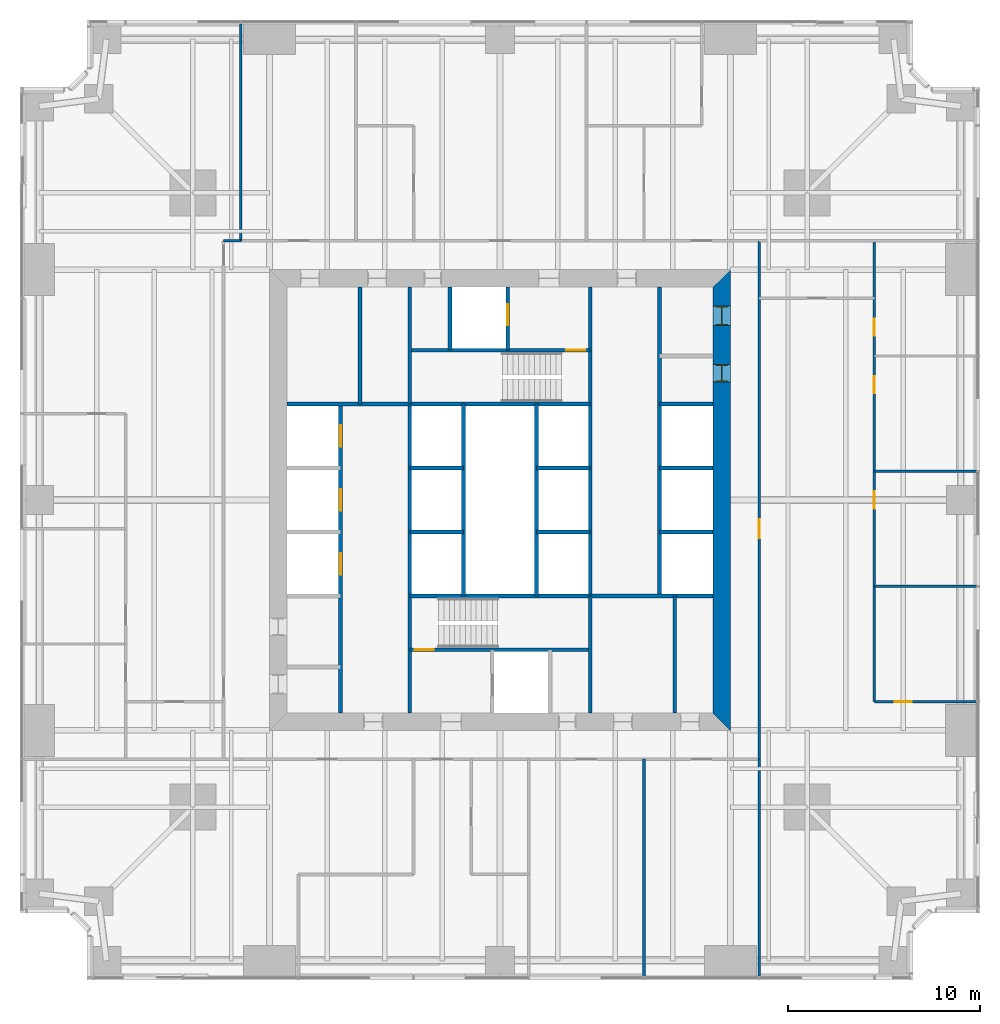
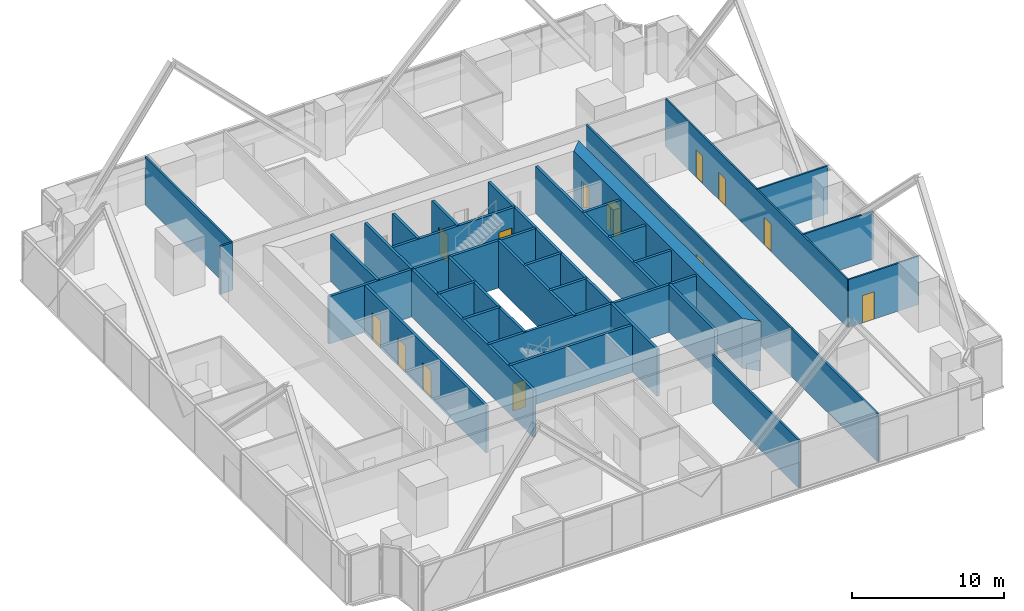
# One storey, part 10 of 13: 33 walls, 13 doors, 13 openings.
"""IFC4 building model written with IfcOpenShell, lengths in metres."""

from ifc_helpers import new_model, si_unit, direction, frame, frame_2d, origin, place, context, subcontext, project, spatial, polyline, rectangle, outline, extrude, material, layer, layer_set, type_object, element, fill, save


model = new_model("IFC4")

# Units and contexts
model_context = context("Model", 3, precision=1e-05, world=origin(), true_north=direction((0.0, 1.0)))
body_context = subcontext(model_context, "Body", "Model", "MODEL_VIEW")
ifc_project = project(units=[si_unit("LENGTHUNIT", "METRE"), si_unit("AREAUNIT", "SQUARE_METRE"), si_unit("VOLUMEUNIT", "CUBIC_METRE"), si_unit("PLANEANGLEUNIT", "RADIAN"), si_unit("MASSUNIT", "GRAM", prefix="KILO")], contexts=[model_context])

# Site, building, storey
site_placement = place(None, origin())
site = spatial("IfcSite", under=ifc_project, at=site_placement, CompositionType="ELEMENT")
building_placement = place(site_placement, origin())
building = spatial("IfcBuilding", under=site, at=building_placement, Name="Fenwick Lantern Interchange", CompositionType="ELEMENT")
storey_placement = place(building_placement, frame((0.0, 0.0, 43.0)))
storey = spatial("IfcBuildingStorey", under=building, at=storey_placement, Name="L09", CompositionType="ELEMENT", Elevation=43.0)

# Wall, openings, doors
ifc_material_1 = material(Name="Concrete masonry ASTM C90 Grade N", Category="masonry")
ifc_layer_1 = layer(ifc_material_1, 0.199951171875)
ifc_layer_set_1 = layer_set([ifc_layer_1], Name="Concrete masonry ASTM C90 Grade N")
wall_type_1 = type_object("IfcWallType", Name="CORE PARTITION 200", PredefinedType="PARTITIONING", material=ifc_layer_set_1)
wall_1_placement = place(storey_placement, frame((16.699951171875, 13.89990234375, 0.0), z_axis=(0.0, 0.0, 1.0), x_axis=(0.0, 1.0, 0.0)))
wall_1 = element("IfcWall", 1, at=wall_1_placement, inside=storey, type_object=wall_type_1, Name="L09/W/CORES/a", PredefinedType="PARTITIONING", context=body_context, shape_type="SweptSolid", body=[
    extrude(rectangle(XDim=16.10009765625, YDim=0.199951171875, at=frame_2d((8.050048828125, 0.0))), origin(), (0.0, 0.0, 1.0), 3.800048828125),
])
opening_1_placement = place(wall_1_placement, frame((7.216552734375, 0.0, 0.0)))
opening_1 = element("IfcOpeningElement", 2, at=opening_1_placement, cuts=wall_1, Name="Opening LD-W1-1", PredefinedType="OPENING", context=body_context, shape_type="SweptSolid", body=[
    extrude(rectangle(XDim=1.10009765625, YDim=2.199951171875, at=frame_2d((0.550048828125, 1.10009765625))), frame((0.0, 0.10986328125, 0.0), z_axis=(0.0, -1.0, 0.0), x_axis=(1.0, 0.0, 0.0)), (0.0, 0.0, 1.0), 0.219970703125),
])
opening_2_placement = place(wall_1_placement, frame((10.550048828125, 0.0, 0.0)))
opening_2 = element("IfcOpeningElement", 3, at=opening_2_placement, cuts=wall_1, Name="Opening LD-W1-2", PredefinedType="OPENING", context=body_context, shape_type="SweptSolid", body=[
    extrude(rectangle(XDim=1.10009765625, YDim=2.199951171875, at=frame_2d((0.550048828125, 1.10009765625))), frame((0.0, 0.10986328125, 0.0), z_axis=(0.0, -1.0, 0.0), x_axis=(1.0, 0.0, 0.0)), (0.0, 0.0, 1.0), 0.219970703125),
])
opening_3_placement = place(wall_1_placement, frame((13.88330078125, 0.0, 0.0)))
opening_3 = element("IfcOpeningElement", 4, at=opening_3_placement, cuts=wall_1, Name="Opening LD-W1-3", PredefinedType="OPENING", context=body_context, shape_type="SweptSolid", body=[
    extrude(rectangle(XDim=1.10009765625, YDim=2.199951171875, at=frame_2d((0.550048828125, 1.10009765625))), frame((0.0, 0.10986328125, 0.0), z_axis=(0.0, -1.0, 0.0), x_axis=(1.0, 0.0, 0.0)), (0.0, 0.0, 1.0), 0.219970703125),
])
ifc_material_2 = material(Name="Steel door and frame", Category="steel")
door_type_1 = type_object("IfcDoorType", Name="LIFT LANDING DOOR 1100 X 2200", OperationType="DOUBLE_DOOR_SLIDING", PredefinedType="DOOR", material=ifc_material_2)
door_1_placement = place(opening_1_placement, origin())
door_1 = element("IfcDoor", 5, at=door_1_placement, inside=storey, type_object=door_type_1, Name="Lift landing door W1-1", OperationType="DOUBLE_DOOR_SLIDING", OverallHeight=2.199951171875, OverallWidth=1.10009765625, PredefinedType="DOOR", context=body_context, shape_type="SweptSolid", body=[
    extrude(rectangle(XDim=1.10009765625, YDim=2.199951171875, at=frame_2d((0.550048828125, 1.10009765625))), frame((0.0, 0.02490234375, 0.0), z_axis=(0.0, -1.0, 0.0), x_axis=(1.0, 0.0, 0.0)), (0.0, 0.0, 1.0), 0.050048828125),
])
fill(opening_1, door_1)
door_2_placement = place(opening_2_placement, origin())
door_2 = element("IfcDoor", 6, at=door_2_placement, inside=storey, type_object=door_type_1, Name="Lift landing door W1-2", OperationType="DOUBLE_DOOR_SLIDING", OverallHeight=2.199951171875, OverallWidth=1.10009765625, PredefinedType="DOOR", context=body_context, shape_type="SweptSolid", body=[
    extrude(rectangle(XDim=1.10009765625, YDim=2.199951171875, at=frame_2d((0.550048828125, 1.10009765625))), frame((0.0, 0.02490234375, 0.0), z_axis=(0.0, -1.0, 0.0), x_axis=(1.0, 0.0, 0.0)), (0.0, 0.0, 1.0), 0.050048828125),
])
fill(opening_2, door_2)
door_3_placement = place(opening_3_placement, origin())
door_3 = element("IfcDoor", 7, at=door_3_placement, inside=storey, type_object=door_type_1, Name="Lift landing door W1-3", OperationType="DOUBLE_DOOR_SLIDING", OverallHeight=2.199951171875, OverallWidth=1.10009765625, PredefinedType="DOOR", context=body_context, shape_type="SweptSolid", body=[
    extrude(rectangle(XDim=1.10009765625, YDim=2.199951171875, at=frame_2d((0.550048828125, 1.10009765625))), frame((0.0, 0.02490234375, 0.0), z_axis=(0.0, -1.0, 0.0), x_axis=(1.0, 0.0, 0.0)), (0.0, 0.0, 1.0), 0.050048828125),
])
fill(opening_3, door_3)

# Walls
for number, where, z_axis, x_axis, name in (
    (8, (20.300048828125, 23.333251953125, 0.0), (0.0, 0.0, 1.0), (1.0, 0.0, 0.0), "L09/W/CORES/e1"),
    (9, (20.300048828125, 26.666748046875, 0.0), (0.0, 0.0, 1.0), (1.0, 0.0, 0.0), "L09/W/CORES/e2"),
):
    element("IfcWall", number, at=place(storey_placement, frame(where, z_axis=z_axis, x_axis=x_axis)), inside=storey, type_object=wall_type_1, Name=name, PredefinedType="PARTITIONING", context=body_context, shape_type="SweptSolid", body=[
        extrude(rectangle(XDim=2.800048828125, YDim=0.199951171875, at=frame_2d((1.39990234375, 0.0))), origin(), (0.0, 0.0, 1.0), 3.800048828125),
    ])
wall_2_placement = place(storey_placement, frame((23.10009765625, 20.0, 0.0), z_axis=(0.0, 0.0, 1.0), x_axis=(0.0, 1.0, 0.0)))
element("IfcWall", 10, at=wall_2_placement, inside=storey, type_object=wall_type_1, Name="L09/W/CORES/e3", PredefinedType="PARTITIONING", context=body_context, shape_type="SweptSolid", body=[
    extrude(rectangle(XDim=10.0, YDim=0.199951171875, at=frame_2d((5.0, 0.0))), origin(), (0.0, 0.0, 1.0), 3.800048828125),
])
wall_3_placement = place(storey_placement, frame((34.10009765625, 13.89990234375, 0.0), z_axis=(0.0, 0.0, 1.0), x_axis=(0.0, 1.0, 0.0)))
element("IfcWall", 11, at=wall_3_placement, inside=storey, type_object=wall_type_1, Name="L09/W/CORES/i2", PredefinedType="PARTITIONING", context=body_context, shape_type="SweptSolid", body=[
    extrude(rectangle(XDim=6.10009765625, YDim=0.199951171875, at=frame_2d((3.050048828125, 0.0))), origin(), (0.0, 0.0, 1.0), 3.800048828125),
])
wall_4_placement = place(storey_placement, frame((33.300048828125, 36.10009765625, 0.0), z_axis=(0.0, 0.0, 1.0), x_axis=(0.0, -1.0, 0.0)))
element("IfcWall", 12, at=wall_4_placement, inside=storey, type_object=wall_type_1, Name="L09/W/COREN/a", PredefinedType="PARTITIONING", context=body_context, shape_type="SweptSolid", body=[
    extrude(rectangle(XDim=16.10009765625, YDim=0.199951171875, at=frame_2d((8.050048828125, 0.0))), origin(), (0.0, 0.0, 1.0), 3.800048828125),
])
for number, where, z_axis, x_axis, name in (
    (13, (36.10009765625, 30.0, 0.0), (0.0, 0.0, 1.0), (-1.0, 0.0, 0.0), "L09/W/COREN/c2"),
    (14, (36.10009765625, 26.666748046875, 0.0), (0.0, 0.0, 1.0), (-1.0, 0.0, 0.0), "L09/W/COREN/d1"),
    (15, (36.10009765625, 23.333251953125, 0.0), (0.0, 0.0, 1.0), (-1.0, 0.0, 0.0), "L09/W/COREN/d2"),
    (16, (29.699951171875, 26.666748046875, 0.0), (0.0, 0.0, 1.0), (-1.0, 0.0, 0.0), "L09/W/COREN/e1"),
    (17, (29.699951171875, 23.333251953125, 0.0), (0.0, 0.0, 1.0), (-1.0, 0.0, 0.0), "L09/W/COREN/e2"),
):
    element("IfcWall", number, at=place(storey_placement, frame(where, z_axis=z_axis, x_axis=x_axis)), inside=storey, type_object=wall_type_1, Name=name, PredefinedType="PARTITIONING", context=body_context, shape_type="SweptSolid", body=[
        extrude(rectangle(XDim=2.800048828125, YDim=0.199951171875, at=frame_2d((1.39990234375, 0.0))), origin(), (0.0, 0.0, 1.0), 3.800048828125),
    ])
wall_5_placement = place(storey_placement, frame((26.89990234375, 30.0, 0.0), z_axis=(0.0, 0.0, 1.0), x_axis=(0.0, -1.0, 0.0)))
element("IfcWall", 18, at=wall_5_placement, inside=storey, type_object=wall_type_1, Name="L09/W/COREN/e3", PredefinedType="PARTITIONING", context=body_context, shape_type="SweptSolid", body=[
    extrude(rectangle(XDim=10.0, YDim=0.199951171875, at=frame_2d((5.0, 0.0))), origin(), (0.0, 0.0, 1.0), 3.800048828125),
])

# Wall, opening, door
wall_6_placement = place(storey_placement, frame((25.39990234375, 36.10009765625, 0.0), z_axis=(0.0, 0.0, 1.0), x_axis=(0.0, -1.0, 0.0)))
wall_6 = element("IfcWall", 19, at=wall_6_placement, inside=storey, type_object=wall_type_1, Name="L09/W/COREN/h1", PredefinedType="PARTITIONING", context=body_context, shape_type="SweptSolid", body=[
    extrude(rectangle(XDim=3.300048828125, YDim=0.199951171875, at=frame_2d((1.64990234375, 0.0))), origin(), (0.0, 0.0, 1.0), 3.800048828125),
])
opening_4_placement = place(wall_6_placement, frame((0.89990234375, 0.0, 0.0)))
opening_4 = element("IfcOpeningElement", 20, at=opening_4_placement, cuts=wall_6, Name="Opening LD-FL2", PredefinedType="OPENING", context=body_context, shape_type="SweptSolid", body=[
    extrude(rectangle(XDim=1.10009765625, YDim=2.199951171875, at=frame_2d((0.550048828125, 1.10009765625))), frame((0.0, 0.10986328125, 0.0), z_axis=(0.0, -1.0, 0.0), x_axis=(1.0, 0.0, 0.0)), (0.0, 0.0, 1.0), 0.219970703125),
])
door_4_placement = place(opening_4_placement, origin())
door_4 = element("IfcDoor", 21, at=door_4_placement, inside=storey, type_object=door_type_1, Name="Lift landing door FL2", OperationType="DOUBLE_DOOR_SLIDING", OverallHeight=2.199951171875, OverallWidth=1.10009765625, PredefinedType="DOOR", context=body_context, shape_type="SweptSolid", body=[
    extrude(rectangle(XDim=1.10009765625, YDim=2.199951171875, at=frame_2d((0.550048828125, 1.10009765625))), frame((0.0, 0.02490234375, 0.0), z_axis=(0.0, -1.0, 0.0), x_axis=(1.0, 0.0, 0.0)), (0.0, 0.0, 1.0), 0.050048828125),
])
fill(opening_4, door_4)

# Walls
wall_7_placement = place(storey_placement, frame((22.39990234375, 36.10009765625, 0.0), z_axis=(0.0, 0.0, 1.0), x_axis=(0.0, -1.0, 0.0)))
element("IfcWall", 22, at=wall_7_placement, inside=storey, type_object=wall_type_1, Name="L09/W/COREN/h2", PredefinedType="PARTITIONING", context=body_context, shape_type="SweptSolid", body=[
    extrude(rectangle(XDim=3.300048828125, YDim=0.199951171875, at=frame_2d((1.64990234375, 0.0))), origin(), (0.0, 0.0, 1.0), 3.800048828125),
])
wall_8_placement = place(storey_placement, frame((17.699951171875, 36.10009765625, 0.0), z_axis=(0.0, 0.0, 1.0), x_axis=(0.0, -1.0, 0.0)))
element("IfcWall", 23, at=wall_8_placement, inside=storey, type_object=wall_type_1, Name="L09/W/COREN/i2", PredefinedType="PARTITIONING", context=body_context, shape_type="SweptSolid", body=[
    extrude(rectangle(XDim=6.10009765625, YDim=0.199951171875, at=frame_2d((3.050048828125, 0.0))), origin(), (0.0, 0.0, 1.0), 3.800048828125),
])

# Wall, openings, doors
ifc_material_3 = material(Name="Concrete f'c 70 MPa", Category="concrete")
ifc_layer_2 = layer(ifc_material_3, 0.89990234375)
ifc_layer_set_2 = layer_set([ifc_layer_2], Name="CORE WALL 900")
wall_type_2 = type_object("IfcWallType", Name="CORE WALL 900", PredefinedType="SHEAR", material=ifc_layer_set_2)
wall_9_placement = place(storey_placement, frame((36.550048828125, 13.89990234375, 0.0), z_axis=(0.0, 0.0, 1.0), x_axis=(0.0, 1.0, 0.0)))
wall_9 = element("IfcWall", 24, at=wall_9_placement, inside=storey, type_object=wall_type_2, Name="L09/CORE/E", PredefinedType="SHEAR", context=body_context, shape_type="SweptSolid", body=[
    extrude(outline(polyline([(-0.89990234375, -0.449951171875), (23.10009765625, -0.449951171875), (22.199951171875, 0.449951171875), (0.0, 0.449951171875), (-0.89990234375, -0.449951171875)])), origin(), (0.0, 0.0, 1.0), 4.0),
])
opening_5_placement = place(wall_9_placement, frame((20.199951171875, 0.0, 0.0)))
opening_5 = element("IfcOpeningElement", 25, at=opening_5_placement, cuts=wall_9, Name="Opening L09-D015", PredefinedType="OPENING", context=body_context, shape_type="SweptSolid", body=[
    extrude(rectangle(XDim=1.0, YDim=2.199951171875, at=frame_2d((0.5, 1.10009765625))), frame((0.0, 0.4599609375, 0.0), z_axis=(0.0, -1.0, 0.0), x_axis=(1.0, 0.0, 0.0)), (0.0, 0.0, 1.0), 0.919921875),
])
opening_6_placement = place(wall_9_placement, frame((17.25, 0.0, 0.0)))
opening_6 = element("IfcOpeningElement", 26, at=opening_6_placement, cuts=wall_9, Name="Opening L09-D016", PredefinedType="OPENING", context=body_context, shape_type="SweptSolid", body=[
    extrude(rectangle(XDim=0.89990234375, YDim=2.199951171875, at=frame_2d((0.449951171875, 1.10009765625))), frame((0.0, 0.4599609375, 0.0), z_axis=(0.0, -1.0, 0.0), x_axis=(1.0, 0.0, 0.0)), (0.0, 0.0, 1.0), 0.919921875),
])
door_type_2 = type_object("IfcDoorType", Name="SERVICE DOOR 900 X 2200", OperationType="SINGLE_SWING_LEFT", PredefinedType="DOOR", material=ifc_material_2)
door_5_placement = place(opening_6_placement, origin())
door_5 = element("IfcDoor", 27, at=door_5_placement, inside=storey, type_object=door_type_2, Name="Service door", OperationType="SINGLE_SWING_RIGHT", OverallHeight=2.199951171875, OverallWidth=0.89990234375, PredefinedType="DOOR", context=body_context, shape_type="SweptSolid", body=[
    extrude(rectangle(XDim=0.89990234375, YDim=2.199951171875, at=frame_2d((0.449951171875, 1.10009765625))), frame((0.0, 0.02490234375, 0.0), z_axis=(0.0, -1.0, 0.0), x_axis=(1.0, 0.0, 0.0)), (0.0, 0.0, 1.0), 0.050048828125),
    extrude(outline(polyline([(0.0, 0.0), (0.0400390625, 0.0), (0.0400390625, 2.159912109375), (0.85986328125, 2.159912109375), (0.85986328125, 0.0), (0.89990234375, 0.0), (0.89990234375, 2.199951171875), (0.0, 2.199951171875), (0.0, 0.0)])), frame((0.0, 0.300048828125, 0.0), z_axis=(0.0, -1.0, 0.0), x_axis=(1.0, 0.0, 0.0)), (0.0, 0.0, 1.0), 0.60009765625),
])
fill(opening_6, door_5)
ifc_material_4 = material(Name="Hardwood door and steel frame", Category="steel")
door_type_3 = type_object("IfcDoorType", Name="WC DOOR 1000 X 2200", OperationType="SINGLE_SWING_LEFT", PredefinedType="DOOR", material=ifc_material_4)
door_6_placement = place(opening_5_placement, origin())
door_6 = element("IfcDoor", 28, at=door_6_placement, inside=storey, type_object=door_type_3, Name="Wc door", OperationType="SINGLE_SWING_RIGHT", OverallHeight=2.199951171875, OverallWidth=1.0, PredefinedType="DOOR", context=body_context, shape_type="SweptSolid", body=[
    extrude(rectangle(XDim=1.0, YDim=2.199951171875, at=frame_2d((0.5, 1.10009765625))), frame((0.0, 0.02490234375, 0.0), z_axis=(0.0, -1.0, 0.0), x_axis=(1.0, 0.0, 0.0)), (0.0, 0.0, 1.0), 0.050048828125),
    extrude(outline(polyline([(0.0, 0.0), (0.0400390625, 0.0), (0.0400390625, 2.159912109375), (0.9599609375, 2.159912109375), (0.9599609375, 0.0), (1.0, 0.0), (1.0, 2.199951171875), (0.0, 2.199951171875), (0.0, 0.0)])), frame((0.0, 0.300048828125, 0.0), z_axis=(0.0, -1.0, 0.0), x_axis=(1.0, 0.0, 0.0)), (0.0, 0.0, 1.0), 0.60009765625),
])
fill(opening_5, door_6)

# Wall, opening, door
ifc_material_5 = material(Name="Gypsum board on steel studs, 1 hour", Category="steel")
ifc_layer_3 = layer(ifc_material_5, 0.14990234375)
ifc_layer_set_3 = layer_set([ifc_layer_3], Name="CORRIDOR WALL 150")
wall_type_3 = type_object("IfcWallType", Name="CORRIDOR WALL 150", PredefinedType="PARTITIONING", material=ifc_layer_set_3)
wall_10_placement = place(storey_placement, frame((38.5, 11.5, 0.0), z_axis=(0.0, 0.0, 1.0), x_axis=(0.0, 1.0, 0.0)))
wall_10 = element("IfcWall", 29, at=wall_10_placement, inside=storey, type_object=wall_type_3, Name="L09/W/OFF/E/CW", PredefinedType="PARTITIONING", context=body_context, shape_type="SweptSolid", body=[
    extrude(rectangle(XDim=27.0, YDim=0.14990234375, at=frame_2d((13.5, 0.0))), origin(), (0.0, 0.0, 1.0), 3.85009765625),
])
opening_7_placement = place(wall_10_placement, frame((11.5, 0.0, 0.0)))
opening_7 = element("IfcOpeningElement", 30, at=opening_7_placement, cuts=wall_10, Name="Opening L09-D022", PredefinedType="OPENING", context=body_context, shape_type="SweptSolid", body=[
    extrude(rectangle(XDim=1.0, YDim=2.199951171875, at=frame_2d((0.5, 1.10009765625))), frame((0.0, 0.0849609375, 0.0), z_axis=(0.0, -1.0, 0.0), x_axis=(1.0, 0.0, 0.0)), (0.0, 0.0, 1.0), 0.169921875),
])
door_type_4 = type_object("IfcDoorType", Name="SUITE ENTRANCE DOOR 1000 X 2200", OperationType="SINGLE_SWING_LEFT", PredefinedType="DOOR", material=ifc_material_2)
door_7_placement = place(opening_7_placement, frame((1.0, 0.0, 0.0), z_axis=(0.0, 0.0, 1.0), x_axis=(-1.0, 0.0, 0.0)))
door_7 = element("IfcDoor", 31, at=door_7_placement, inside=storey, type_object=door_type_4, Name="Suite entrance door", OperationType="SINGLE_SWING_LEFT", OverallHeight=2.199951171875, OverallWidth=1.0, PredefinedType="DOOR", context=body_context, shape_type="SweptSolid", body=[
    extrude(rectangle(XDim=1.0, YDim=2.199951171875, at=frame_2d((0.5, 1.10009765625))), frame((0.0, 0.02490234375, 0.0), z_axis=(0.0, -1.0, 0.0), x_axis=(1.0, 0.0, 0.0)), (0.0, 0.0, 1.0), 0.050048828125),
])
fill(opening_7, door_7)

# Wall
wall_11_placement = place(storey_placement, frame((11.5, 38.5, 0.0), z_axis=(0.0, 0.0, 1.0), x_axis=(-1.0, 0.0, 0.0)))
element("IfcWall", 32, at=wall_11_placement, inside=storey, type_object=wall_type_3, Name="L09/W/OFF/W/CWJ", PredefinedType="PARTITIONING", context=body_context, shape_type="SweptSolid", body=[
    extrude(rectangle(XDim=0.89990234375, YDim=0.14990234375, at=frame_2d((0.449951171875, 0.0))), origin(), (0.0, 0.0, 1.0), 3.85009765625),
])

# Wall, opening, door
ifc_material_6 = material(Name="Gypsum board on steel studs, acoustic", Category="steel")
ifc_layer_4 = layer(ifc_material_6, 0.125)
ifc_layer_set_4 = layer_set([ifc_layer_4], Name="OFFICE PARTITION 125")
wall_type_4 = type_object("IfcWallType", Name="OFFICE PARTITION 125", PredefinedType="PARTITIONING", material=ifc_layer_set_4)
wall_12_placement = place(storey_placement, frame((49.85009765625, 14.5, 0.0), z_axis=(0.0, 0.0, 1.0), x_axis=(-1.0, 0.0, 0.0)))
wall_12 = element("IfcWall", 33, at=wall_12_placement, inside=storey, type_object=wall_type_4, Name="L09/W/OFF/E/X145-1", PredefinedType="PARTITIONING", context=body_context, shape_type="SweptSolid", body=[
    extrude(rectangle(XDim=5.35009765625, YDim=0.125, at=frame_2d((2.675048828125, 0.0))), origin(), (0.0, 0.0, 1.0), 3.85009765625),
])
opening_8_placement = place(wall_12_placement, frame((3.39990234375, 0.0, 0.0)))
opening_8 = element("IfcOpeningElement", 34, at=opening_8_placement, cuts=wall_12, Name="Opening L09-D023", PredefinedType="OPENING", context=body_context, shape_type="SweptSolid", body=[
    extrude(rectangle(XDim=0.89990234375, YDim=2.199951171875, at=frame_2d((0.449951171875, 1.10009765625))), frame((0.0, 0.072509765625, 0.0), z_axis=(0.0, -1.0, 0.0), x_axis=(1.0, 0.0, 0.0)), (0.0, 0.0, 1.0), 0.14501953125),
])
door_type_5 = type_object("IfcDoorType", Name="OFFICE DOOR 900 X 2200", OperationType="SINGLE_SWING_LEFT", PredefinedType="DOOR", material=ifc_material_4)
door_8_placement = place(opening_8_placement, frame((0.89990234375, 0.0, 0.0), z_axis=(0.0, 0.0, 1.0), x_axis=(-1.0, 0.0, 0.0)))
door_8 = element("IfcDoor", 35, at=door_8_placement, inside=storey, type_object=door_type_5, Name="Office door", OperationType="SINGLE_SWING_LEFT", OverallHeight=2.199951171875, OverallWidth=0.89990234375, PredefinedType="DOOR", context=body_context, shape_type="SweptSolid", body=[
    extrude(rectangle(XDim=0.89990234375, YDim=2.199951171875, at=frame_2d((0.449951171875, 1.10009765625))), frame((0.0, 0.02490234375, 0.0), z_axis=(0.0, -1.0, 0.0), x_axis=(1.0, 0.0, 0.0)), (0.0, 0.0, 1.0), 0.050048828125),
])
fill(opening_8, door_8)

# Walls
for number, where, z_axis, x_axis, name in (
    (36, (49.85009765625, 20.5, 0.0), (0.0, 0.0, 1.0), (-1.0, 0.0, 0.0), "L09/W/OFF/E/X205-1"),
    (37, (49.85009765625, 26.5, 0.0), (0.0, 0.0, 1.0), (-1.0, 0.0, 0.0), "L09/W/OFF/E/X265-1"),
):
    element("IfcWall", number, at=place(storey_placement, frame(where, z_axis=z_axis, x_axis=x_axis)), inside=storey, type_object=wall_type_4, Name=name, PredefinedType="PARTITIONING", context=body_context, shape_type="SweptSolid", body=[
        extrude(rectangle(XDim=5.35009765625, YDim=0.125, at=frame_2d((2.675048828125, 0.0))), origin(), (0.0, 0.0, 1.0), 3.85009765625),
    ])

# Wall, openings, doors
wall_13_placement = place(storey_placement, frame((44.5, 14.5, 0.0), z_axis=(0.0, 0.0, 1.0), x_axis=(0.0, 1.0, 0.0)))
wall_13 = element("IfcWall", 38, at=wall_13_placement, inside=storey, type_object=wall_type_4, Name="L09/W/OFF/E/Y55-1", PredefinedType="PARTITIONING", context=body_context, shape_type="SweptSolid", body=[
    extrude(rectangle(XDim=24.0, YDim=0.125, at=frame_2d((12.0, 0.0))), origin(), (0.0, 0.0, 1.0), 3.85009765625),
])
opening_9_placement = place(wall_13_placement, frame((10.050048828125, 0.0, 0.0)))
opening_9 = element("IfcOpeningElement", 39, at=opening_9_placement, cuts=wall_13, Name="Opening L09-D024", PredefinedType="OPENING", context=body_context, shape_type="SweptSolid", body=[
    extrude(rectangle(XDim=0.89990234375, YDim=2.199951171875, at=frame_2d((0.449951171875, 1.10009765625))), frame((0.0, 0.072509765625, 0.0), z_axis=(0.0, -1.0, 0.0), x_axis=(1.0, 0.0, 0.0)), (0.0, 0.0, 1.0), 0.14501953125),
])
opening_10_placement = place(wall_13_placement, frame((16.050048828125, 0.0, 0.0)))
opening_10 = element("IfcOpeningElement", 40, at=opening_10_placement, cuts=wall_13, Name="Opening L09-D025", PredefinedType="OPENING", context=body_context, shape_type="SweptSolid", body=[
    extrude(rectangle(XDim=0.89990234375, YDim=2.199951171875, at=frame_2d((0.449951171875, 1.10009765625))), frame((0.0, 0.072509765625, 0.0), z_axis=(0.0, -1.0, 0.0), x_axis=(1.0, 0.0, 0.0)), (0.0, 0.0, 1.0), 0.14501953125),
])
opening_11_placement = place(wall_13_placement, frame((19.050048828125, 0.0, 0.0)))
opening_11 = element("IfcOpeningElement", 41, at=opening_11_placement, cuts=wall_13, Name="Opening L09-D026", PredefinedType="OPENING", context=body_context, shape_type="SweptSolid", body=[
    extrude(rectangle(XDim=0.89990234375, YDim=2.199951171875, at=frame_2d((0.449951171875, 1.10009765625))), frame((0.0, 0.072509765625, 0.0), z_axis=(0.0, -1.0, 0.0), x_axis=(1.0, 0.0, 0.0)), (0.0, 0.0, 1.0), 0.14501953125),
])
door_9_placement = place(opening_9_placement, frame((0.89990234375, 0.0, 0.0), z_axis=(0.0, 0.0, 1.0), x_axis=(-1.0, 0.0, 0.0)))
door_9 = element("IfcDoor", 42, at=door_9_placement, inside=storey, type_object=door_type_5, Name="Office door", OperationType="SINGLE_SWING_LEFT", OverallHeight=2.199951171875, OverallWidth=0.89990234375, PredefinedType="DOOR", context=body_context, shape_type="SweptSolid", body=[
    extrude(rectangle(XDim=0.89990234375, YDim=2.199951171875, at=frame_2d((0.449951171875, 1.10009765625))), frame((0.0, 0.02490234375, 0.0), z_axis=(0.0, -1.0, 0.0), x_axis=(1.0, 0.0, 0.0)), (0.0, 0.0, 1.0), 0.050048828125),
])
fill(opening_9, door_9)
door_10_placement = place(opening_10_placement, frame((0.89990234375, 0.0, 0.0), z_axis=(0.0, 0.0, 1.0), x_axis=(-1.0, 0.0, 0.0)))
door_10 = element("IfcDoor", 43, at=door_10_placement, inside=storey, type_object=door_type_5, Name="Office door", OperationType="SINGLE_SWING_LEFT", OverallHeight=2.199951171875, OverallWidth=0.89990234375, PredefinedType="DOOR", context=body_context, shape_type="SweptSolid", body=[
    extrude(rectangle(XDim=0.89990234375, YDim=2.199951171875, at=frame_2d((0.449951171875, 1.10009765625))), frame((0.0, 0.02490234375, 0.0), z_axis=(0.0, -1.0, 0.0), x_axis=(1.0, 0.0, 0.0)), (0.0, 0.0, 1.0), 0.050048828125),
])
fill(opening_10, door_10)
door_11_placement = place(opening_11_placement, frame((0.89990234375, 0.0, 0.0), z_axis=(0.0, 0.0, 1.0), x_axis=(-1.0, 0.0, 0.0)))
door_11 = element("IfcDoor", 44, at=door_11_placement, inside=storey, type_object=door_type_5, Name="Office door", OperationType="SINGLE_SWING_RIGHT", OverallHeight=2.199951171875, OverallWidth=0.89990234375, PredefinedType="DOOR", context=body_context, shape_type="SweptSolid", body=[
    extrude(rectangle(XDim=0.89990234375, YDim=2.199951171875, at=frame_2d((0.449951171875, 1.10009765625))), frame((0.0, 0.02490234375, 0.0), z_axis=(0.0, -1.0, 0.0), x_axis=(1.0, 0.0, 0.0)), (0.0, 0.0, 1.0), 0.050048828125),
])
fill(opening_11, door_11)

# Wall
ifc_material_7 = material(Name="Concrete f'c 45 MPa", Category="concrete")
ifc_layer_5 = layer(ifc_material_7, 0.199951171875)
ifc_layer_set_5 = layer_set([ifc_layer_5], Name="STAIR CORE WALL 200")
wall_type_5 = type_object("IfcWallType", Name="STAIR CORE WALL 200", PredefinedType="SOLIDWALL", material=ifc_layer_set_5)
wall_14_placement = place(storey_placement, frame((20.300048828125, 13.89990234375, 0.0), z_axis=(0.0, 0.0, 1.0), x_axis=(0.0, 1.0, 0.0)))
element("IfcWall", 45, at=wall_14_placement, inside=storey, type_object=wall_type_5, Name="L09/W/CORES/b", PredefinedType="SOLIDWALL", context=body_context, shape_type="SweptSolid", body=[
    extrude(rectangle(XDim=16.10009765625, YDim=0.199951171875, at=frame_2d((8.050048828125, 0.0))), origin(), (0.0, 0.0, 1.0), 3.800048828125),
])

# Wall, opening, door
wall_15_placement = place(storey_placement, frame((20.300048828125, 17.199951171875, 0.0), z_axis=(0.0, 0.0, 1.0), x_axis=(1.0, 0.0, 0.0)))
wall_15 = element("IfcWall", 46, at=wall_15_placement, inside=storey, type_object=wall_type_5, Name="L09/W/CORES/g1", PredefinedType="SOLIDWALL", context=body_context, shape_type="SweptSolid", body=[
    extrude(rectangle(XDim=9.39990234375, YDim=0.199951171875, at=frame_2d((4.699951171875, 0.0))), origin(), (0.0, 0.0, 1.0), 3.800048828125),
])
opening_12_placement = place(wall_15_placement, frame((0.25, 0.0, 0.0)))
opening_12 = element("IfcOpeningElement", 47, at=opening_12_placement, cuts=wall_15, Name="Opening L09-D003", PredefinedType="OPENING", context=body_context, shape_type="SweptSolid", body=[
    extrude(rectangle(XDim=1.0, YDim=2.199951171875, at=frame_2d((0.5, 1.10009765625))), frame((0.0, 0.10986328125, 0.0), z_axis=(0.0, -1.0, 0.0), x_axis=(1.0, 0.0, 0.0)), (0.0, 0.0, 1.0), 0.219970703125),
])
door_type_6 = type_object("IfcDoorType", Name="STAIR DOOR 1000 X 2200", OperationType="SINGLE_SWING_LEFT", PredefinedType="DOOR", material=ifc_material_2)
door_12_placement = place(opening_12_placement, origin())
door_12 = element("IfcDoor", 48, at=door_12_placement, inside=storey, type_object=door_type_6, Name="Stair door", OperationType="SINGLE_SWING_LEFT", OverallHeight=2.199951171875, OverallWidth=1.0, PredefinedType="DOOR", context=body_context, shape_type="SweptSolid", body=[
    extrude(rectangle(XDim=1.0, YDim=2.199951171875, at=frame_2d((0.5, 1.10009765625))), frame((0.0, 0.02490234375, 0.0), z_axis=(0.0, -1.0, 0.0), x_axis=(1.0, 0.0, 0.0)), (0.0, 0.0, 1.0), 0.050048828125),
])
fill(opening_12, door_12)

# Walls
wall_16_placement = place(storey_placement, frame((20.300048828125, 20.0, 0.0), z_axis=(0.0, 0.0, 1.0), x_axis=(1.0, 0.0, 0.0)))
element("IfcWall", 49, at=wall_16_placement, inside=storey, type_object=wall_type_5, Name="L09/W/CORES/g2", PredefinedType="SOLIDWALL", context=body_context, shape_type="SweptSolid", body=[
    extrude(rectangle(XDim=15.800048828125, YDim=0.199951171875, at=frame_2d((7.89990234375, 0.0))), origin(), (0.0, 0.0, 1.0), 3.800048828125),
])
wall_17_placement = place(storey_placement, frame((29.699951171875, 13.89990234375, 0.0), z_axis=(0.0, 0.0, 1.0), x_axis=(0.0, 1.0, 0.0)))
element("IfcWall", 50, at=wall_17_placement, inside=storey, type_object=wall_type_5, Name="L09/W/CORES/i1", PredefinedType="SOLIDWALL", context=body_context, shape_type="SweptSolid", body=[
    extrude(rectangle(XDim=6.10009765625, YDim=0.199951171875, at=frame_2d((3.050048828125, 0.0))), origin(), (0.0, 0.0, 1.0), 3.800048828125),
])
wall_18_placement = place(storey_placement, frame((29.699951171875, 36.10009765625, 0.0), z_axis=(0.0, 0.0, 1.0), x_axis=(0.0, -1.0, 0.0)))
element("IfcWall", 51, at=wall_18_placement, inside=storey, type_object=wall_type_5, Name="L09/W/COREN/b", PredefinedType="SOLIDWALL", context=body_context, shape_type="SweptSolid", body=[
    extrude(rectangle(XDim=16.10009765625, YDim=0.199951171875, at=frame_2d((8.050048828125, 0.0))), origin(), (0.0, 0.0, 1.0), 3.800048828125),
])

# Wall, opening, door
wall_19_placement = place(storey_placement, frame((29.699951171875, 32.800048828125, 0.0), z_axis=(0.0, 0.0, 1.0), x_axis=(-1.0, 0.0, 0.0)))
wall_19 = element("IfcWall", 52, at=wall_19_placement, inside=storey, type_object=wall_type_5, Name="L09/W/COREN/g1", PredefinedType="SOLIDWALL", context=body_context, shape_type="SweptSolid", body=[
    extrude(rectangle(XDim=9.39990234375, YDim=0.199951171875, at=frame_2d((4.699951171875, 0.0))), origin(), (0.0, 0.0, 1.0), 3.800048828125),
])
opening_13_placement = place(wall_19_placement, frame((0.25, 0.0, 0.0)))
opening_13 = element("IfcOpeningElement", 53, at=opening_13_placement, cuts=wall_19, Name="Opening L09-D011", PredefinedType="OPENING", context=body_context, shape_type="SweptSolid", body=[
    extrude(rectangle(XDim=1.0, YDim=2.199951171875, at=frame_2d((0.5, 1.10009765625))), frame((0.0, 0.10986328125, 0.0), z_axis=(0.0, -1.0, 0.0), x_axis=(1.0, 0.0, 0.0)), (0.0, 0.0, 1.0), 0.219970703125),
])
door_13_placement = place(opening_13_placement, origin())
door_13 = element("IfcDoor", 54, at=door_13_placement, inside=storey, type_object=door_type_6, Name="Stair door", OperationType="SINGLE_SWING_LEFT", OverallHeight=2.199951171875, OverallWidth=1.0, PredefinedType="DOOR", context=body_context, shape_type="SweptSolid", body=[
    extrude(rectangle(XDim=1.0, YDim=2.199951171875, at=frame_2d((0.5, 1.10009765625))), frame((0.0, 0.02490234375, 0.0), z_axis=(0.0, -1.0, 0.0), x_axis=(1.0, 0.0, 0.0)), (0.0, 0.0, 1.0), 0.050048828125),
])
fill(opening_13, door_13)

# Walls
wall_20_placement = place(storey_placement, frame((29.699951171875, 30.0, 0.0), z_axis=(0.0, 0.0, 1.0), x_axis=(-1.0, 0.0, 0.0)))
element("IfcWall", 55, at=wall_20_placement, inside=storey, type_object=wall_type_5, Name="L09/W/COREN/g2", PredefinedType="SOLIDWALL", context=body_context, shape_type="SweptSolid", body=[
    extrude(rectangle(XDim=15.800048828125, YDim=0.199951171875, at=frame_2d((7.89990234375, 0.0))), origin(), (0.0, 0.0, 1.0), 3.800048828125),
])
wall_21_placement = place(storey_placement, frame((20.300048828125, 36.10009765625, 0.0), z_axis=(0.0, 0.0, 1.0), x_axis=(0.0, -1.0, 0.0)))
element("IfcWall", 56, at=wall_21_placement, inside=storey, type_object=wall_type_5, Name="L09/W/COREN/i1", PredefinedType="SOLIDWALL", context=body_context, shape_type="SweptSolid", body=[
    extrude(rectangle(XDim=6.10009765625, YDim=0.199951171875, at=frame_2d((3.050048828125, 0.0))), origin(), (0.0, 0.0, 1.0), 3.800048828125),
])
ifc_material_8 = material(Name="Gypsum board on steel studs, 1 hour acoustic", Category="steel")
ifc_layer_6 = layer(ifc_material_8, 0.14990234375)
ifc_layer_set_6 = layer_set([ifc_layer_6], Name="TENANT WALL 150")
wall_type_6 = type_object("IfcWallType", Name="TENANT WALL 150", PredefinedType="PARTITIONING", material=ifc_layer_set_6)
for number, where, z_axis, x_axis, name in (
    (57, (32.5, 0.14990234375, 0.0), (0.0, 0.0, 1.0), (0.0, 1.0, 0.0), "L09/W/OFF/S/X325-1"),
    (58, (38.5, 0.14990234375, 0.0), (0.0, 0.0, 1.0), (0.0, 1.0, 0.0), "L09/W/OFF/E/BACK"),
    (59, (11.5, 49.85009765625, 0.0), (0.0, 0.0, 1.0), (0.0, -1.0, 0.0), "L09/W/OFF/W/BACK"),
):
    element("IfcWall", number, at=place(storey_placement, frame(where, z_axis=z_axis, x_axis=x_axis)), inside=storey, type_object=wall_type_6, Name=name, PredefinedType="PARTITIONING", context=body_context, shape_type="SweptSolid", body=[
        extrude(rectangle(XDim=11.35009765625, YDim=0.14990234375, at=frame_2d((5.675048828125, 0.0))), origin(), (0.0, 0.0, 1.0), 3.85009765625),
    ])

save(model, "model.ifc")
